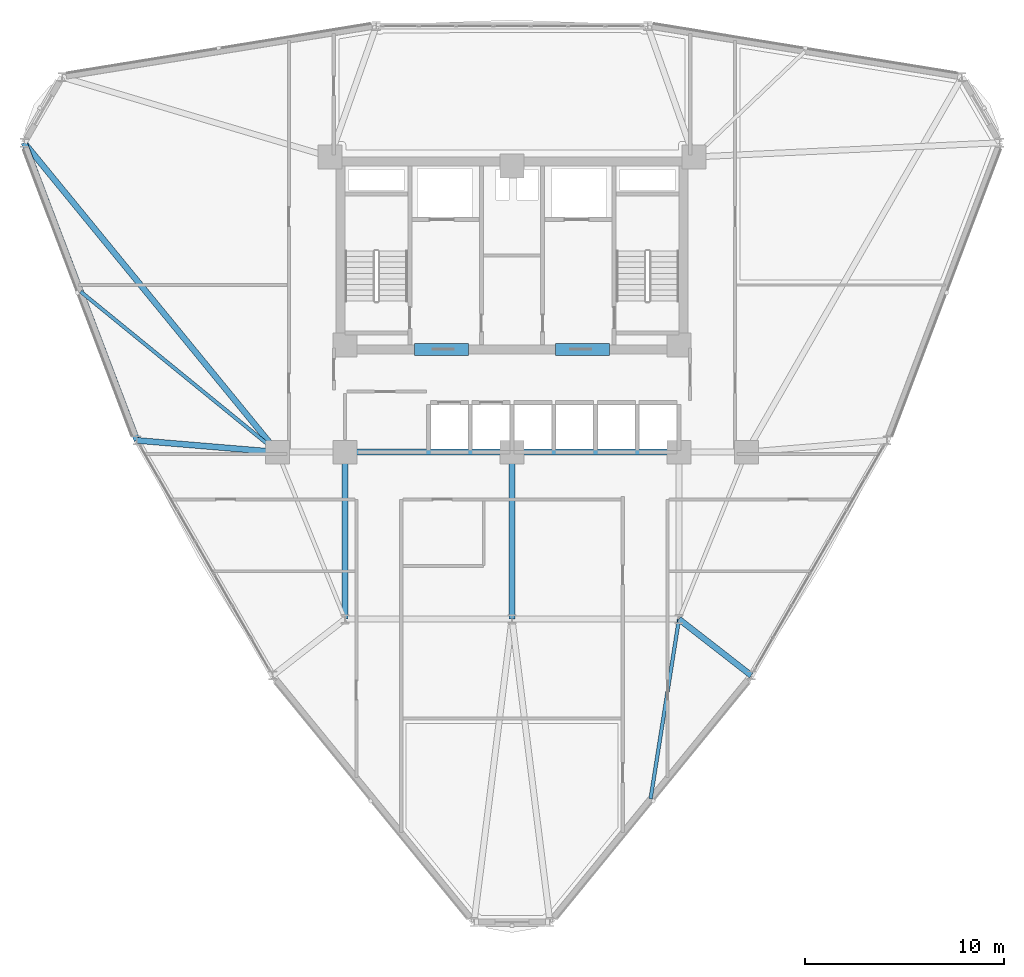
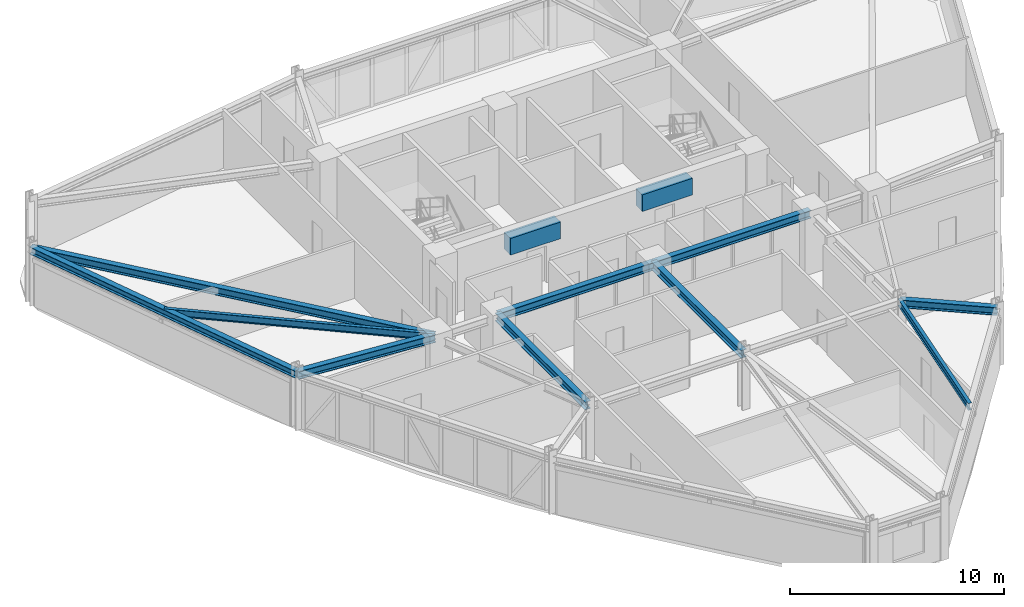
# One storey, part 5 of 17: 12 beams.
"""IFC4 building model written with IfcOpenShell, lengths in metres."""

from ifc_helpers import new_model, si_unit, derived_unit, direction, frame, origin, origin_2d, place, context, subcontext, project, spatial, rectangle, i_section, extrude, source, transform, mapped, material, material_profile, profile_set, type_object, element, save


model = new_model("IFC4")

# Units and contexts
model_context = context("Model", 3, precision=1e-05, world=origin(), true_north=direction((0.0, 1.0)))
body_context = subcontext(model_context, "Body", "Model", "MODEL_VIEW")
ifc_project = project(units=[si_unit("LENGTHUNIT", "METRE"), si_unit("AREAUNIT", "SQUARE_METRE"), si_unit("VOLUMEUNIT", "CUBIC_METRE"), si_unit("PLANEANGLEUNIT", "RADIAN"), si_unit("MASSUNIT", "GRAM", prefix="KILO"), derived_unit("THERMALTRANSMITTANCEUNIT", [(si_unit("POWERUNIT", "WATT"), 1), (si_unit("LENGTHUNIT", "METRE"), -2), (si_unit("THERMODYNAMICTEMPERATUREUNIT", "KELVIN"), -1)])], contexts=[model_context])

# Site, building, storey
site_placement = place(None, origin())
site = spatial("IfcSite", under=ifc_project, at=site_placement, CompositionType="ELEMENT")
building_placement = place(site_placement, origin())
building = spatial("IfcBuilding", under=site, at=building_placement, Name="Korsvarv Bourse and Concert Hall", CompositionType="ELEMENT")
storey_placement = place(building_placement, frame((0.0, 0.0, 127.800048828125)))
storey = spatial("IfcBuildingStorey", under=building, at=storey_placement, Name="L32", CompositionType="ELEMENT", Elevation=127.800048828125)

# Beams
ifc_material_1 = material(Name="Concrete C55/67", Category="concrete")
ifc_material_profile_1 = material_profile(ifc_material_1, rectangle(XDim=0.60009765625, YDim=0.949951171875, at=origin_2d()), Name="RC-BM 600x950")
ifc_profile_set_1 = profile_set([ifc_material_profile_1], Name="Concrete C55/67")
beam_type_1 = type_object("IfcBeamType", Name="BM-CPL", PredefinedType="LINTEL", material=ifc_profile_set_1)
shared_shape_1 = source(origin(), body_context, "Body", "SweptSolid", [
    extrude(rectangle(XDim=0.60009765625, YDim=0.949951171875, at=origin_2d()), origin(), (0.0, 0.0, 1.0), 2.699951171875),
])
for number, where, z_axis, x_axis, name in (
    (1, (31.10009765625, 37.574951171875, 2.784912109375), (1.0, 0.0, 0.0), (0.0, 1.0, 0.0), "L32 Core Coupling Beam West"),
    (2, (38.199951171875, 37.574951171875, 2.784912109375), (1.0, 0.0, 0.0), (0.0, 1.0, 0.0), "L32 Core Coupling Beam East"),
):
    element("IfcBeam", number, at=place(storey_placement, frame(where, z_axis=z_axis, x_axis=x_axis)), inside=storey, type_object=beam_type_1, Name=name, PredefinedType="LINTEL", context=body_context, shape_type="MappedRepresentation", body=[
        mapped(shared_shape_1, transform((0.0, 0.0, 0.0), scale=1.0)),
    ])
ifc_material_2 = material(Name="Steel S355", Category="steel")
ifc_material_profile_2 = material_profile(ifc_material_2, i_section(OverallWidth=0.300048828125, OverallDepth=0.449951171875, WebThickness=0.013916015625, FlangeThickness=0.02587890625, FilletRadius=0.02099609375, at=origin_2d()), Name="HEB 450")
ifc_profile_set_2 = profile_set([ifc_material_profile_2], Name="Steel S355")
beam_type_2 = type_object("IfcBeamType", Name="BM-HEB450", PredefinedType="SPANDREL", material=ifc_profile_set_2)
shared_shape_2 = source(origin(), body_context, "Body", "SweptSolid", [
    extrude(i_section(OverallWidth=0.300048828125, OverallDepth=0.449951171875, WebThickness=0.013916015625, FlangeThickness=0.02587890625, FilletRadius=0.02099609375, at=origin_2d()), origin(), (0.0, 0.0, 1.0), 8.39990234375),
])
for number, where, z_axis, x_axis, name in (
    (3, (27.60009765625, 32.39990234375, 3.034912109375), (1.0, 0.0, 0.0), (0.0, 1.0, 0.0), "L32 beam B-08"),
    (4, (36.0, 32.39990234375, 3.034912109375), (1.0, 0.0, 0.0), (0.0, 1.0, 0.0), "L32 beam B-08"),
    (5, (27.60009765625, 24.0, 3.034912109375), (0.0, 1.0, 0.0), (-1.0, 0.0, 0.0), "L32 beam B-08"),
    (6, (36.0, 24.0, 3.034912109375), (0.0, 1.0, 0.0), (-1.0, 0.0, 0.0), "L32 beam B-08"),
):
    element("IfcBeam", number, at=place(storey_placement, frame(where, z_axis=z_axis, x_axis=x_axis)), inside=storey, type_object=beam_type_2, Name=name, PredefinedType="SPANDREL", context=body_context, shape_type="MappedRepresentation", body=[
        mapped(shared_shape_2, transform((0.0, 0.0, 0.0), scale=1.0)),
    ])
ifc_material_profile_3 = material_profile(ifc_material_2, i_section(OverallWidth=0.300048828125, OverallDepth=0.39990234375, WebThickness=0.013427734375, FlangeThickness=0.02392578125, FilletRadius=0.02099609375, at=origin_2d()), Name="HEB 400")
ifc_profile_set_3 = profile_set([ifc_material_profile_3], Name="Steel S355")
beam_type_3 = type_object("IfcBeamType", Name="BM-HEB400", PredefinedType="SPANDREL", material=ifc_profile_set_3)
shared_shape_3 = source(origin(), body_context, "Body", "SweptSolid", [
    extrude(i_section(OverallWidth=0.300048828125, OverallDepth=0.39990234375, WebThickness=0.013427734375, FlangeThickness=0.02392578125, FilletRadius=0.02099609375, at=origin_2d()), origin(), (0.0, 0.0, 1.0), 16.0146484375),
])
beam_1_placement = place(storey_placement, frame((11.458251953125, 47.966064453125, 3.06005859375), z_axis=(0.354515902653, -0.93504998517, 0.0), x_axis=(0.93504998517, 0.354515902653, 0.0)))
element("IfcBeam", 7, at=beam_1_placement, inside=storey, type_object=beam_type_3, Name="L32 beam B-09", PredefinedType="SPANDREL", context=body_context, shape_type="MappedRepresentation", body=[
    mapped(shared_shape_3, transform((0.0, 0.0, 0.0), scale=1.0)),
])
shared_shape_4 = source(origin(), body_context, "Body", "SweptSolid", [
    extrude(i_section(OverallWidth=0.300048828125, OverallDepth=0.449951171875, WebThickness=0.013916015625, FlangeThickness=0.02587890625, FilletRadius=0.02099609375, at=origin_2d()), origin(), (0.0, 0.0, 1.0), 20.115966796875),
])
beam_2_placement = place(storey_placement, frame((11.458251953125, 47.966064453125, 3.034912109375), z_axis=(0.63340894884, -0.773817228762, 0.0), x_axis=(0.773817228762, 0.63340894884, 0.0)))
element("IfcBeam", 8, at=beam_2_placement, inside=storey, type_object=beam_type_2, Name="L32 beam B-08", PredefinedType="SPANDREL", context=body_context, shape_type="MappedRepresentation", body=[
    mapped(shared_shape_4, transform((0.0, 0.0, 0.0), scale=1.0)),
])
shared_shape_5 = source(origin(), body_context, "Body", "SweptSolid", [
    extrude(i_section(OverallWidth=0.300048828125, OverallDepth=0.449951171875, WebThickness=0.013916015625, FlangeThickness=0.02587890625, FilletRadius=0.02099609375, at=origin_2d()), origin(), (0.0, 0.0, 1.0), 7.0888671875),
])
beam_3_placement = place(storey_placement, frame((17.1357421875, 32.991455078125, 3.034912109375), z_axis=(0.996512187592, -0.083447348558, 0.0), x_axis=(0.083447348558, 0.996512187592, 0.0)))
element("IfcBeam", 9, at=beam_3_placement, inside=storey, type_object=beam_type_2, Name="L32 beam B-08", PredefinedType="SPANDREL", context=body_context, shape_type="MappedRepresentation", body=[
    mapped(shared_shape_5, transform((0.0, 0.0, 0.0), scale=1.0)),
])
shared_shape_6 = source(origin(), body_context, "Body", "SweptSolid", [
    extrude(i_section(OverallWidth=0.300048828125, OverallDepth=0.449951171875, WebThickness=0.013916015625, FlangeThickness=0.02587890625, FilletRadius=0.02099609375, at=origin_2d()), origin(), (0.0, 0.0, 1.0), 4.610595703125),
])
beam_4_placement = place(storey_placement, frame((48.03759765625, 21.167236328125, 3.034912109375), z_axis=(-0.788989967488, 0.614406080051, 0.0), x_axis=(-0.614406080051, -0.788989967488, 0.0)))
element("IfcBeam", 10, at=beam_4_placement, inside=storey, type_object=beam_type_2, Name="L32 beam B-08", PredefinedType="SPANDREL", context=body_context, shape_type="MappedRepresentation", body=[
    mapped(shared_shape_6, transform((0.0, 0.0, 0.0), scale=1.0)),
])
ifc_material_profile_4 = material_profile(ifc_material_2, i_section(OverallWidth=0.179931640625, OverallDepth=0.39990234375, WebThickness=0.008544921875, FlangeThickness=0.013427734375, FilletRadius=0.02099609375, at=origin_2d()), Name="IPE 400")
ifc_profile_set_4 = profile_set([ifc_material_profile_4], Name="Steel S355")
beam_type_4 = type_object("IfcBeamType", Name="BM-IPE400", PredefinedType="JOIST", material=ifc_profile_set_4)
shared_shape_7 = source(origin(), body_context, "Body", "SweptSolid", [
    extrude(i_section(OverallWidth=0.179931640625, OverallDepth=0.39990234375, WebThickness=0.008544921875, FlangeThickness=0.013427734375, FilletRadius=0.02099609375, at=origin_2d()), origin(), (0.0, 0.0, 1.0), 12.780517578125),
])
beam_5_placement = place(storey_placement, frame((14.296875, 40.478759765625, 3.06005859375), z_axis=(0.774863789618, -0.632128236625, 0.0), x_axis=(0.632128236625, 0.774863789618, 0.0)))
element("IfcBeam", 11, at=beam_5_placement, inside=storey, type_object=beam_type_4, Name="L32 beam J-05", PredefinedType="JOIST", context=body_context, shape_type="MappedRepresentation", body=[
    mapped(shared_shape_7, transform((0.0, 0.0, 0.0), scale=1.0)),
])
shared_shape_8 = source(origin(), body_context, "Body", "SweptSolid", [
    extrude(i_section(OverallWidth=0.179931640625, OverallDepth=0.39990234375, WebThickness=0.008544921875, FlangeThickness=0.013427734375, FilletRadius=0.02099609375, at=origin_2d()), origin(), (0.0, 0.0, 1.0), 9.14697265625),
])
beam_6_placement = place(storey_placement, frame((42.972900390625, 14.965087890625, 3.06005859375), z_axis=(0.156009174426, 0.987755606157, 0.0), x_axis=(-0.987755606157, 0.156009174426, 0.0)))
element("IfcBeam", 12, at=beam_6_placement, inside=storey, type_object=beam_type_4, Name="L32 beam J-05", PredefinedType="JOIST", context=body_context, shape_type="MappedRepresentation", body=[
    mapped(shared_shape_8, transform((0.0, 0.0, 0.0), scale=1.0)),
])

save(model, "model.ifc")
